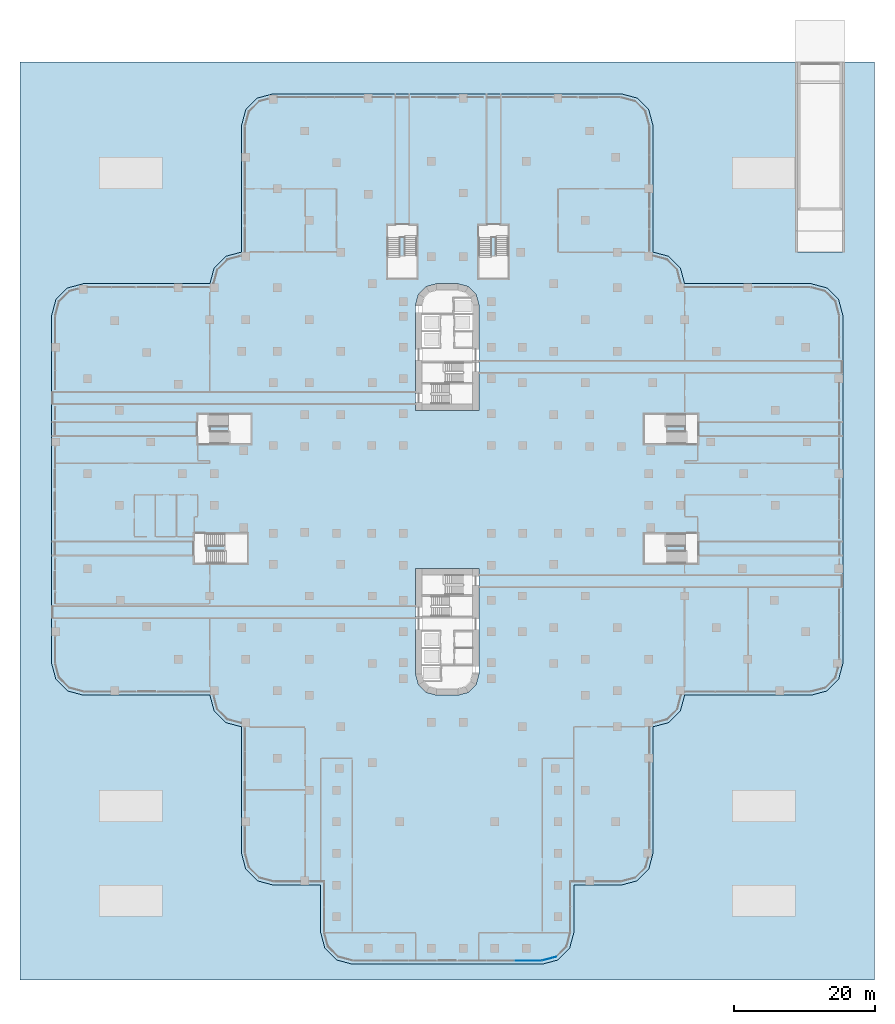
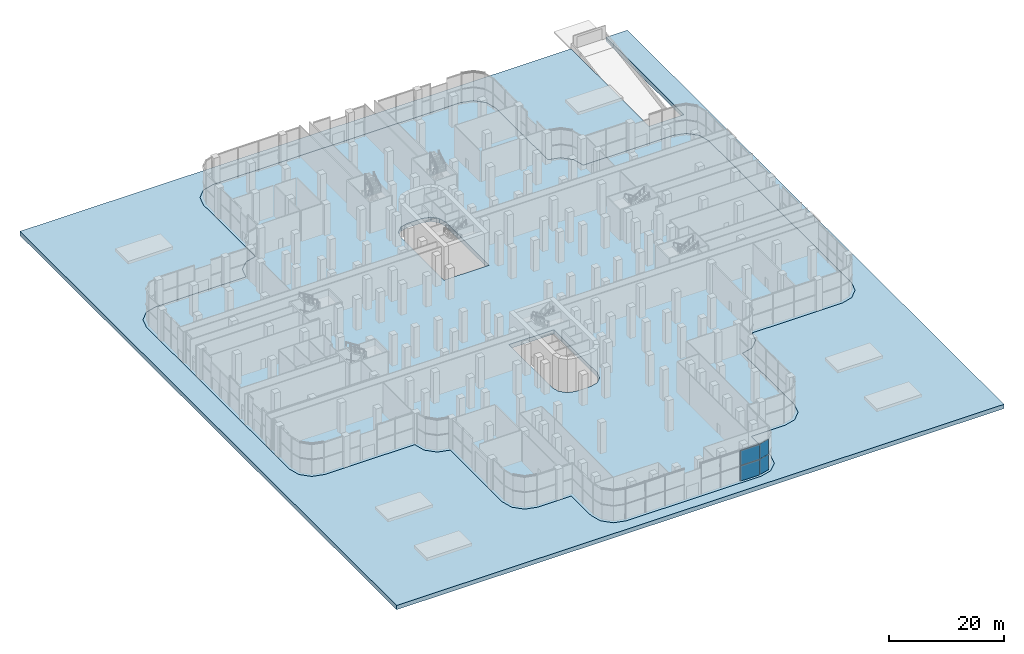
# One storey, part 14 of 34: 4 plates, 2 slabs, 2 elements without a shape of their own.
"""IFC4 building model written with IfcOpenShell, lengths in metres."""

from ifc_helpers import new_model, si_unit, direction, frame, origin, place, context, subcontext, project, spatial, polyline, outline, extrude, source, transform, mapped, material, layer, layer_set, type_object, element, aggregate, save


model = new_model("IFC4")

# Units and contexts
model_context = context("Model", 3, precision=1e-05, world=origin(), true_north=direction((0.0, 1.0)))
body_context = subcontext(model_context, "Body", "Model", "MODEL_VIEW")
ifc_project = project(units=[si_unit("LENGTHUNIT", "METRE"), si_unit("AREAUNIT", "SQUARE_METRE"), si_unit("VOLUMEUNIT", "CUBIC_METRE"), si_unit("PLANEANGLEUNIT", "RADIAN"), si_unit("MASSUNIT", "GRAM", prefix="KILO")], contexts=[model_context])

# Site, building, storey
site_placement = place(None, origin())
site = spatial("IfcSite", under=ifc_project, at=site_placement, CompositionType="ELEMENT")
building_placement = place(site_placement, origin())
building = spatial("IfcBuilding", under=site, at=building_placement, Name="Zarbagh Exchange Tower", CompositionType="ELEMENT")
storey_placement = place(building_placement, origin())
storey = spatial("IfcBuildingStorey", under=building, at=storey_placement, Name="L00", CompositionType="ELEMENT", Elevation=0.0)

# Slabs
ifc_material_1 = material(Name="Concrete C50/60", Category="concrete")
ifc_layer_1 = layer(ifc_material_1, 0.89990234375)
ifc_layer_set_1 = layer_set([ifc_layer_1], Name="Flat slab 900 C50/60")
slab_type_1 = type_object("IfcSlabType", Name="Flat slab 900 C50/60", PredefinedType="FLOOR", material=ifc_layer_set_1)
slab_1_placement = place(storey_placement, frame((0.0, 0.0, -0.89990234375)))
element("IfcSlab", 1, at=slab_1_placement, inside=storey, type_object=slab_type_1, Name="S3 flat slab", PredefinedType="FLOOR", context=body_context, shape_type="SweptSolid", body=[
    extrude(outline(polyline([(-15.75, -66.897216796875), (-17.397216796875, -65.25), (-18.0, -63.0), (-18.0, -56.25), (-24.75, -56.25), (-27.0, -55.647216796875), (-28.647216796875, -54.0), (-29.25, -51.75), (-29.25, -33.75), (-31.5, -33.147216796875), (-33.147216796875, -31.5), (-33.75, -29.25), (-51.75, -29.25), (-54.0, -28.647216796875), (-55.647216796875, -27.0), (-56.25, -24.75), (-56.25, 24.75), (-55.647216796875, 27.0), (-54.0, 28.647216796875), (-51.75, 29.25), (-33.75, 29.25), (-33.147216796875, 31.5), (-31.5, 33.147216796875), (-29.25, 33.75), (-29.25, 51.75), (-28.647216796875, 54.0), (-27.0, 55.647216796875), (-24.75, 56.25), (24.75, 56.25), (27.0, 55.647216796875), (28.647216796875, 54.0), (29.25, 51.75), (29.25, 33.75), (31.5, 33.147216796875), (33.147216796875, 31.5), (33.75, 29.25), (51.75, 29.25), (54.0, 28.647216796875), (55.647216796875, 27.0), (56.25, 24.75), (56.25, -24.75), (55.647216796875, -27.0), (54.0, -28.647216796875), (51.75, -29.25), (33.75, -29.25), (33.147216796875, -31.5), (31.5, -33.147216796875), (29.25, -33.75), (29.25, -51.75), (28.647216796875, -54.0), (27.0, -55.647216796875), (24.75, -56.25), (18.0, -56.25), (18.0, -63.0), (17.397216796875, -65.25), (15.75, -66.897216796875), (13.5, -67.5), (-13.5, -67.5), (-15.75, -66.897216796875)]), holes=[polyline([(4.5, 26.25), (4.09814453125, 27.75), (3.0, 28.84814453125), (1.5, 29.25), (-1.5, 29.25), (-3.0, 28.84814453125), (-4.09814453125, 27.75), (-4.5, 26.25), (-4.5, 11.25), (4.5, 11.25), (4.5, 26.25)]), polyline([(1.5, -29.25), (3.0, -28.84814453125), (4.09814453125, -27.75), (4.5, -26.25), (4.5, -11.25), (-4.5, -11.25), (-4.5, -26.25), (-4.09814453125, -27.75), (-3.0, -28.84814453125), (-1.5, -29.25), (1.5, -29.25)])]), origin(), (0.0, 0.0, 1.0), 0.89990234375),
])
ifc_layer_2 = layer(ifc_material_1, 0.89990234375)
ifc_layer_set_2 = layer_set([ifc_layer_2], Name="Garden deck slab 900 C50/60")
slab_type_2 = type_object("IfcSlabType", Name="Garden deck slab 900 C50/60", PredefinedType="USERDEFINED", material=ifc_layer_set_2)
slab_2_placement = place(storey_placement, frame((0.0, 0.0, -0.89990234375)))
element("IfcSlab", 2, at=slab_2_placement, inside=storey, type_object=slab_type_2, Name="S7 garden deck slab", ObjectType="PAVING", PredefinedType="USERDEFINED", context=body_context, shape_type="SweptSolid", body=[
    extrude(outline(polyline([(-60.75, 60.75), (49.5, 60.75), (49.5, 33.75), (56.5, 33.75), (56.5, 60.75), (60.75, 60.75), (60.75, -69.75), (-60.75, -69.75), (-60.75, 60.75)]), holes=[polyline([(17.397216796875, -65.25), (18.0, -63.0), (18.0, -56.25), (24.75, -56.25), (27.0, -55.647216796875), (28.647216796875, -54.0), (29.25, -51.75), (29.25, -33.75), (31.5, -33.147216796875), (33.147216796875, -31.5), (33.75, -29.25), (51.75, -29.25), (54.0, -28.647216796875), (55.647216796875, -27.0), (56.25, -24.75), (56.25, 24.75), (55.647216796875, 27.0), (54.0, 28.647216796875), (51.75, 29.25), (33.75, 29.25), (33.147216796875, 31.5), (31.5, 33.147216796875), (29.25, 33.75), (29.25, 51.75), (28.647216796875, 54.0), (27.0, 55.647216796875), (24.75, 56.25), (-24.75, 56.25), (-27.0, 55.647216796875), (-28.647216796875, 54.0), (-29.25, 51.75), (-29.25, 33.75), (-31.5, 33.147216796875), (-33.147216796875, 31.5), (-33.75, 29.25), (-51.75, 29.25), (-54.0, 28.647216796875), (-55.647216796875, 27.0), (-56.25, 24.75), (-56.25, -24.75), (-55.647216796875, -27.0), (-54.0, -28.647216796875), (-51.75, -29.25), (-33.75, -29.25), (-33.147216796875, -31.5), (-31.5, -33.147216796875), (-29.25, -33.75), (-29.25, -51.75), (-28.647216796875, -54.0), (-27.0, -55.647216796875), (-24.75, -56.25), (-18.0, -56.25), (-18.0, -63.0), (-17.397216796875, -65.25), (-15.75, -66.897216796875), (-13.5, -67.5), (13.5, -67.5), (15.75, -66.897216796875), (17.397216796875, -65.25)])]), origin(), (0.0, 0.0, 1.0), 0.89990234375),
])

# Curtain wall, plates
ifc_material_2 = material(Name="Anodised aluminium frame and glazing", Category="aluminium")
curtain_wall_type = type_object("IfcCurtainWallType", Name="CWD Exchange hall wall glazing", PredefinedType="NOTDEFINED", material=ifc_material_2)
curtain_wall_1_placement = place(storey_placement, origin())
curtain_wall_1 = element("IfcCurtainWall", 3, at=curtain_wall_1_placement, inside=storey, type_object=curtain_wall_type, Name="CWD01 curtain wall", PredefinedType="NOTDEFINED")
ifc_material_3 = material(Name="Low-e double glazed unit, 6+12+6 mm")
ifc_layer_3 = layer(ifc_material_3, 0.035888671875)
ifc_layer_set_3 = layer_set([ifc_layer_3], Name="PAD Glazing panel, Low-e double glazed unit, 6+12+6 mm")
plate_type = type_object("IfcPlateType", Name="PAD Glazing panel, Low-e double glazed unit, 6+12+6 mm", PredefinedType="CURTAIN_PANEL", material=ifc_layer_set_3)
shared_shape_1 = source(origin(), body_context, "Body", "SweptSolid", [
    extrude(outline(polyline([(0.0, -0.01806640625), (2.049560546875, -0.01806640625), (2.049560546875, 0.01806640625), (0.0, 0.01806640625), (0.0, -0.01806640625)])), origin(), (0.0, 0.0, 1.0), 3.235107421875),
])
placement = place(storey_placement, origin())
plate_1 = element("IfcPlate", 4, at=placement, type_object=plate_type, Name="CWD01 glazing panel 1.1", PredefinedType="CURTAIN_PANEL", context=body_context, shape_type="MappedRepresentation", body=[
    mapped(shared_shape_1, transform((13.511474609375, -66.979248046875, 0.0), x_axis=(0.965924289636, 0.258824779902, 0.0), y_axis=(-0.258824779902, 0.965924289636, 0.0), z_axis=(0.0, 0.0, 1.0))),
])
shared_shape_2 = source(origin(), body_context, "Body", "SweptSolid", [
    extrude(outline(polyline([(0.0, -0.01806640625), (2.049560546875, -0.01806640625), (2.049560546875, 0.01806640625), (0.0, 0.01806640625), (0.0, -0.01806640625)])), origin(), (0.0, 0.0, 1.0), 3.155029296875),
])
plate_2 = element("IfcPlate", 5, at=placement, type_object=plate_type, Name="CWD01 glazing panel 1.1", PredefinedType="CURTAIN_PANEL", context=body_context, shape_type="MappedRepresentation", body=[
    mapped(shared_shape_2, transform((13.511474609375, -66.979248046875, 3.31494140625), x_axis=(0.965924289636, 0.258824779902, 0.0), y_axis=(-0.258824779902, 0.965924289636, 0.0), z_axis=(0.0, 0.0, 1.0))),
])
aggregate(curtain_wall_1, [plate_1, plate_2])

curtain_wall_2_placement = place(storey_placement, origin())
curtain_wall_2 = element("IfcCurtainWall", 6, at=curtain_wall_2_placement, inside=storey, type_object=curtain_wall_type, Name="CWD09 curtain wall", PredefinedType="NOTDEFINED")
shared_shape_3 = source(origin(), body_context, "Body", "SweptSolid", [
    extrude(outline(polyline([(0.0, -0.01806640625), (3.86474609375, -0.01806640625), (3.86474609375, 0.01806640625), (0.0, 0.01806640625), (0.0, -0.01806640625)])), origin(), (0.0, 0.0, 1.0), 3.235107421875),
])
plate_3 = element("IfcPlate", 7, at=placement, type_object=plate_type, Name="CWD09 glazing panel 2.3", PredefinedType="CURTAIN_PANEL", context=body_context, shape_type="MappedRepresentation", body=[
    mapped(shared_shape_3, transform((9.5693359375, -67.0, 0.0), x_axis=(1.0, 0.0, 0.0), y_axis=(0.0, 1.0, 0.0), z_axis=(0.0, 0.0, 1.0))),
])
shared_shape_4 = source(origin(), body_context, "Body", "SweptSolid", [
    extrude(outline(polyline([(0.0, -0.01806640625), (3.86474609375, -0.01806640625), (3.86474609375, 0.01806640625), (0.0, 0.01806640625), (0.0, -0.01806640625)])), origin(), (0.0, 0.0, 1.0), 3.155029296875),
])
plate_4 = element("IfcPlate", 8, at=placement, type_object=plate_type, Name="CWD09 glazing panel 2.3", PredefinedType="CURTAIN_PANEL", context=body_context, shape_type="MappedRepresentation", body=[
    mapped(shared_shape_4, transform((9.5693359375, -67.0, 3.31494140625), x_axis=(1.0, 0.0, 0.0), y_axis=(0.0, 1.0, 0.0), z_axis=(0.0, 0.0, 1.0))),
])
aggregate(curtain_wall_2, [plate_3, plate_4])

save(model, "model.ifc")
